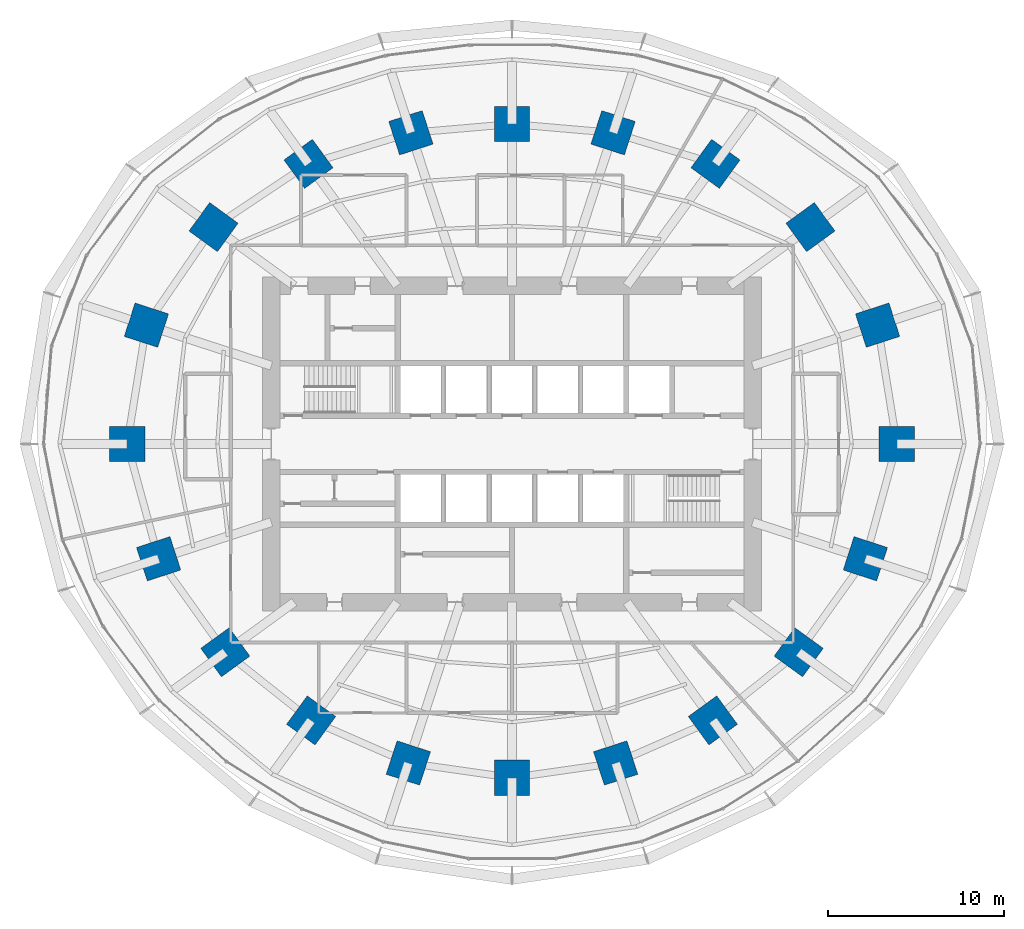
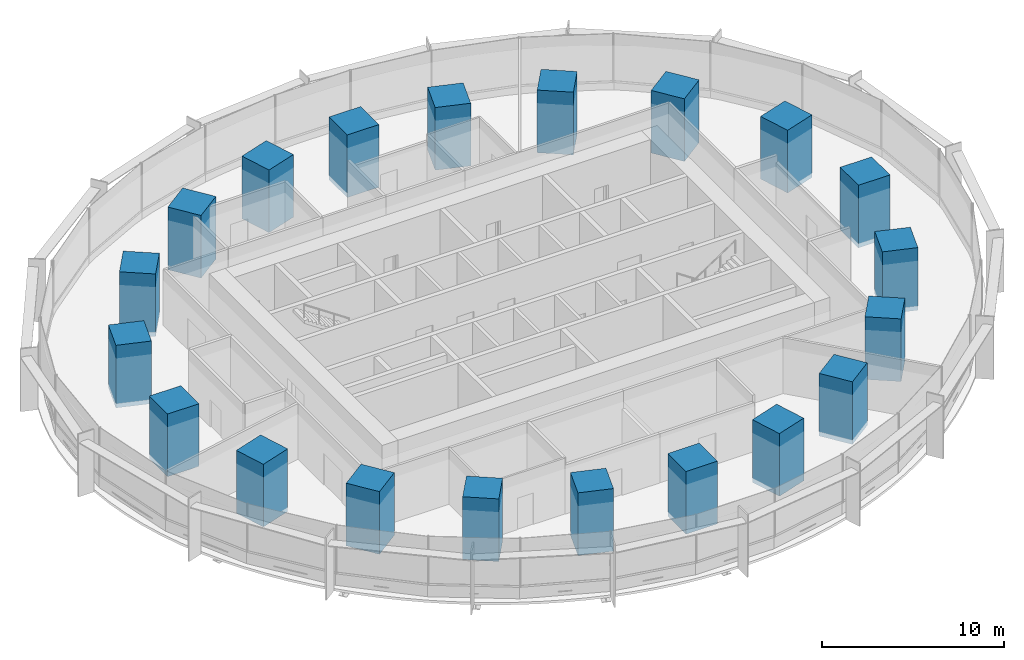
# One storey, part 1 of 15: 20 columns.
"""IFC4 building model written with IfcOpenShell, lengths in metres."""

import ifcopenshell
import ifcopenshell.guid

model = None  # the IFC model being written
_history = None  # IfcOwnerHistory: only IFC2X3 demands one
_inside = {}  # id of a spatial element -> (the spatial element, [elements in it])
_under = {}  # id of a project, library or spatial element -> (it, [spatial elements below it])
_declared = {}  # id of a project -> (the project, [libraries it declares])
_typed = {}  # id of a type object -> (the type object, [elements of that type])
_made_of = {}  # id of a material, layer set ... -> (it, [elements and type objects made of it])


def new_model(schema):
    """Start an empty IFC model of exactly this schema.

    Asked for "IFC4X3", IfcOpenShell would pick the latest addendum, in which some entities
    have other attributes; the version numbers below select the first issue.
    IFC2X3 requires an IfcOwnerHistory on every rooted entity: one is made here for all.
    """
    global model, _history
    if schema == "IFC4X3":
        model = ifcopenshell.file(schema_version=(4, 3, 0, 0))
    else:
        model = ifcopenshell.file(schema=schema)
    _inside.clear()
    _under.clear()
    _declared.clear()
    _typed.clear()
    _made_of.clear()
    _history = None
    if model.schema == "IFC2X3":
        org = make("IfcOrganization", Name="unknown")
        user = make(
            "IfcPersonAndOrganization",
            ThePerson=make("IfcPerson", FamilyName="unknown"),
            TheOrganization=org,
        )
        app = make(
            "IfcApplication",
            ApplicationDeveloper=org,
            Version="unknown",
            ApplicationFullName="unknown",
            ApplicationIdentifier="unknown",
        )
        _history = make(
            "IfcOwnerHistory",
            OwningUser=user,
            OwningApplication=app,
            ChangeAction="ADDED",
            CreationDate=0,
        )
    return model


def make(cls, **values):
    """One entity of the class cls with the attributes given. An attribute that is None is left unset."""
    return model.create_entity(
        cls, **{name: value for name, value in values.items() if value is not None}
    )


def rooted(cls, **values):
    """An entity with a GlobalId (a new one), such as an element, a storey or a relation."""
    return make(cls, GlobalId=ifcopenshell.guid.new(), OwnerHistory=_history, **values)


def si_unit(unit_type, name, prefix=None):
    """IfcSIUnit, for example si_unit("LENGTHUNIT", "METRE", prefix="MILLI")."""
    return make("IfcSIUnit", UnitType=unit_type, Prefix=prefix, Name=name)


def assignment(units):
    """IfcUnitAssignment: the units of a project."""
    return None if units is None else make("IfcUnitAssignment", Units=units)


def point(xyz):
    """IfcCartesianPoint."""
    return None if xyz is None else make("IfcCartesianPoint", Coordinates=xyz)


def direction(xyz):
    """IfcDirection."""
    return None if xyz is None else make("IfcDirection", DirectionRatios=xyz)


def frame(location, z_axis=None, x_axis=None):
    """IfcAxis2Placement3D, a coordinate frame: its origin and axes. An axis left out is left unset."""
    return make(
        "IfcAxis2Placement3D",
        Location=point(location),
        Axis=direction(z_axis),
        RefDirection=direction(x_axis),
    )


def frame_2d(location, x_axis=None):
    """IfcAxis2Placement2D, a coordinate frame in the plane: its origin and x axis."""
    return make(
        "IfcAxis2Placement2D", Location=point(location), RefDirection=direction(x_axis)
    )


def origin():
    """The frame at (0, 0, 0) with its axes left unset."""
    return frame((0.0, 0.0, 0.0))


def origin_2d():
    """The frame at (0, 0) in the plane with its x axis left unset."""
    return frame_2d((0.0, 0.0))


def place(relative_to, where):
    """IfcLocalPlacement: puts the frame where relative to a parent placement (None: the world)."""
    return make(
        "IfcLocalPlacement", PlacementRelTo=relative_to, RelativePlacement=where
    )


def context(
    kind, dimensions, precision=None, world=None, true_north=None, identifier=None
):
    """IfcGeometricRepresentationContext, for example the 3D "Model" context."""
    return make(
        "IfcGeometricRepresentationContext",
        ContextIdentifier=identifier,
        ContextType=kind,
        CoordinateSpaceDimension=dimensions,
        Precision=precision,
        WorldCoordinateSystem=world,
        TrueNorth=true_north,
    )


def subcontext(parent, identifier, kind, view, scale=None):
    """IfcGeometricRepresentationSubContext, for example "Body" below "Model"."""
    return make(
        "IfcGeometricRepresentationSubContext",
        ContextIdentifier=identifier,
        ContextType=kind,
        ParentContext=parent,
        TargetScale=scale,
        TargetView=view,
    )


def project(units=None, contexts=None):
    """IfcProject with its units and contexts."""
    return rooted(
        "IfcProject",
        Name="project",
        RepresentationContexts=contexts,
        UnitsInContext=assignment(units),
    )


def spatial(cls, under=None, at=None, **own):
    """A site, building, storey or space (cls), placed at a placement, below another one or the project."""
    s = rooted(cls, ObjectPlacement=at, **own)
    if under is not None:
        _under.setdefault(under.id(), (under, []))[1].append(s)
    return s


def profile(cls, at=None, kind="AREA", **sizes):
    """A parametric profile (cls). Its sizes go by their IFC names, for example OverallWidth=200.0."""
    return make(cls, ProfileType=kind, Position=at, **sizes)


def rectangle(**sizes):
    """IfcRectangleProfileDef."""
    return profile("IfcRectangleProfileDef", **sizes)


def extrude(swept, where, along, depth):
    """IfcExtrudedAreaSolid: the profile swept, set in the frame where, extruded along a direction by depth."""
    return make(
        "IfcExtrudedAreaSolid",
        SweptArea=swept,
        Position=where,
        ExtrudedDirection=direction(along),
        Depth=depth,
    )


def shape(context_of_items, identifier, shape_type, items):
    """IfcShapeRepresentation: the items that make up one representation, for example the "Body"."""
    return make(
        "IfcShapeRepresentation",
        ContextOfItems=context_of_items,
        RepresentationIdentifier=identifier,
        RepresentationType=shape_type,
        Items=items,
    )


def material(Name=None, Category=None):
    """IfcMaterial."""
    return make("IfcMaterial", Name=Name, Category=Category)


def material_profile(
    of_material, cross_section, Name=None, Category=None, Priority=None
):
    """IfcMaterialProfile: a cross section and its material."""
    return make(
        "IfcMaterialProfile",
        Name=Name,
        Material=of_material,
        Profile=cross_section,
        Priority=Priority,
        Category=Category,
    )


def profile_set(profiles, Name=None, composite=None):
    """IfcMaterialProfileSet."""
    return make(
        "IfcMaterialProfileSet",
        Name=Name,
        MaterialProfiles=profiles,
        CompositeProfile=composite,
    )


def made_of(thing, what):
    """Note that an element or type object is made of a material, layer set ...; save() writes the relation."""
    if what is not None:
        _made_of.setdefault(what.id(), (what, []))[1].append(thing)
    return thing


def type_object(cls, material=None, **own):
    """A type object (cls), such as IfcWallType, which elements share."""
    return made_of(rooted(cls, **own), material)


def element(
    cls,
    number,
    at=None,
    inside=None,
    cuts=None,
    type_object=None,
    material=None,
    context=None,
    identifier="Body",
    shape_type=None,
    held_by="IfcProductDefinitionShape",
    body=None,
    shapes=None,
    **own,
):
    """One element of the class cls, such as IfcWall. Its Tag is "e" and its number.

    at: its placement. inside: the storey or other place that contains it. cuts: it is an
    opening in that element (IfcRelVoidsElement). A single representation is given by context,
    identifier, shape_type and body (its items); several are given by shapes. held_by: the class
    of the entity that holds the representations. save() writes the other relations.
    """
    e = rooted(cls, Tag="e%d" % number, ObjectPlacement=at, **own)
    if body is not None:
        shapes = [shape(context, identifier, shape_type, body)]
    if shapes is not None:
        e.Representation = make(held_by, Representations=shapes)
    if inside is not None:
        _inside.setdefault(inside.id(), (inside, []))[1].append(e)
    if cuts is not None:
        rooted(
            "IfcRelVoidsElement", RelatingBuildingElement=cuts, RelatedOpeningElement=e
        )
    if type_object is not None:
        _typed.setdefault(type_object.id(), (type_object, []))[1].append(e)
    return made_of(e, material)


def aggregate(whole, parts):
    """IfcRelAggregates: a whole, such as a stair, and the parts it consists of."""
    return rooted("IfcRelAggregates", RelatingObject=whole, RelatedObjects=parts)


def save(model, path):
    """Write the relations noted so far, then the file.

    IfcRelAggregates (storeys below a building ...), IfcRelContainedInSpatialStructure (elements
    in a storey), IfcRelDefinesByType, IfcRelAssociatesMaterial and IfcRelDeclares: one each for
    every whole, place, type object, material and project.
    """
    for whole, parts in _under.values():
        aggregate(whole, parts)
    for where, things in _inside.values():
        rooted(
            "IfcRelContainedInSpatialStructure",
            RelatedElements=things,
            RelatingStructure=where,
        )
    for kind, things in _typed.values():
        rooted("IfcRelDefinesByType", RelatedObjects=things, RelatingType=kind)
    for what, things in _made_of.values():
        rooted("IfcRelAssociatesMaterial", RelatedObjects=things, RelatingMaterial=what)
    for by, libraries in _declared.values():
        rooted("IfcRelDeclares", RelatingContext=by, RelatedDefinitions=libraries)
    model.write(path)


model = new_model("IFC4")

# Units and contexts
model_context = context("Model", 3, precision=1e-05, world=origin(), true_north=direction((0.0, 1.0)))
body_context = subcontext(model_context, "Body", "Model", "MODEL_VIEW")
ifc_project = project(units=[si_unit("LENGTHUNIT", "METRE"), si_unit("AREAUNIT", "SQUARE_METRE"), si_unit("VOLUMEUNIT", "CUBIC_METRE"), si_unit("PLANEANGLEUNIT", "RADIAN"), si_unit("MASSUNIT", "GRAM", prefix="KILO")], contexts=[model_context])

# Site, building, storey
site_placement = place(None, origin())
site = spatial("IfcSite", under=ifc_project, at=site_placement, CompositionType="ELEMENT")
building_placement = place(site_placement, origin())
building = spatial("IfcBuilding", under=site, at=building_placement, Name="Marramba Exchange Tower", CompositionType="ELEMENT")
storey_placement = place(building_placement, frame((0.0, 0.0, 49.0)))
storey = spatial("IfcBuildingStorey", under=building, at=storey_placement, Name="L11", CompositionType="ELEMENT", Elevation=49.0)

# Columns
ifc_material = material(Name="Concrete N50", Category="concrete")
ifc_material_profile = material_profile(ifc_material, rectangle(XDim=2.0, YDim=2.0, at=origin_2d()), Name="RC 2000x2000")
ifc_profile_set = profile_set([ifc_material_profile], Name="Concrete N50")
column_type = type_object("IfcColumnType", Name="Perimeter column RC 2000x2000 N50", PredefinedType="COLUMN", material=ifc_profile_set)
for number, where, z_axis, x_axis, name in (
    (1, (21.89990234375, 0.0, 0.0), (0.0, 0.0, 1.0), (1.0, 0.0, 0.0), "Column TC01 L11"),
    (2, (20.808349609375, 6.760986328125, 0.0), (0.0, 0.0, 1.0), (0.951056516295, 0.309016994375, 0.0), "Column TC02 L11"),
    (3, (16.98583984375, 12.3408203125, 0.0), (0.0, 0.0, 1.0), (0.809016994375, 0.587785252292, 0.0), "Column TC03 L11"),
    (4, (11.581298828125, 15.9404296875, 0.0), (0.0, 0.0, 1.0), (0.587785252292, 0.809016994375, 0.0), "Column TC04 L11"),
    (5, (5.75390625, 17.70849609375, 0.0), (0.0, 0.0, 1.0), (0.309016994375, 0.951056516295, 0.0), "Column TC05 L11"),
    (6, (0.0, 18.2041015625, 0.0), (0.0, 0.0, 1.0), (0.0, 1.0, 0.0), "Column TC06 L11"),
    (7, (-5.75390625, 17.70849609375, 0.0), (0.0, 0.0, 1.0), (-0.309016994375, 0.951056516295, 0.0), "Column TC07 L11"),
    (8, (-11.581298828125, 15.9404296875, 0.0), (0.0, 0.0, 1.0), (-0.587785252292, 0.809016994375, 0.0), "Column TC08 L11"),
    (9, (-16.98583984375, 12.3408203125, 0.0), (0.0, 0.0, 1.0), (-0.809016994375, 0.587785252292, 0.0), "Column TC09 L11"),
    (10, (-20.808349609375, 6.760986328125, 0.0), (0.0, 0.0, 1.0), (-0.951056516295, 0.309016994375, 0.0), "Column TC10 L11"),
    (11, (-21.89990234375, 0.0, 0.0), (0.0, 0.0, 1.0), (-1.0, 0.0, 0.0), "Column TC11 L11"),
    (12, (-20.109375, -6.533935546875, 0.0), (0.0, 0.0, 1.0), (-0.951056516295, -0.309016994375, 0.0), "Column TC12 L11"),
    (13, (-16.3154296875, -11.853759765625, 0.0), (0.0, 0.0, 1.0), (-0.809016994375, -0.587785252292, 0.0), "Column TC13 L11"),
    (14, (-11.430419921875, -15.732666015625, 0.0), (0.0, 0.0, 1.0), (-0.587785252292, -0.809016994375, 0.0), "Column TC14 L11"),
    (15, (-5.899658203125, -18.156982421875, 0.0), (0.0, 0.0, 1.0), (-0.309016994375, -0.951056516295, 0.0), "Column TC15 L11"),
    (16, (0.0, -18.99609375, 0.0), (0.0, 0.0, 1.0), (0.0, -1.0, 0.0), "Column TC16 L11"),
    (17, (5.899658203125, -18.156982421875, 0.0), (0.0, 0.0, 1.0), (0.309016994375, -0.951056516295, 0.0), "Column TC17 L11"),
    (18, (11.430419921875, -15.732666015625, 0.0), (0.0, 0.0, 1.0), (0.587785252292, -0.809016994375, 0.0), "Column TC18 L11"),
    (19, (16.3154296875, -11.853759765625, 0.0), (0.0, 0.0, 1.0), (0.809016994375, -0.587785252292, 0.0), "Column TC19 L11"),
    (20, (20.109375, -6.533935546875, 0.0), (0.0, 0.0, 1.0), (0.951056516295, -0.309016994375, 0.0), "Column TC20 L11"),
):
    element("IfcColumn", number, at=place(storey_placement, frame(where, z_axis=z_axis, x_axis=x_axis)), inside=storey, type_object=column_type, Name=name, PredefinedType="COLUMN", context=body_context, shape_type="SweptSolid", body=[
        extrude(rectangle(XDim=2.0, YDim=2.0, at=origin_2d()), origin(), (0.0, 0.0, 1.0), 4.199951171875),
    ])

save(model, "model.ifc")
